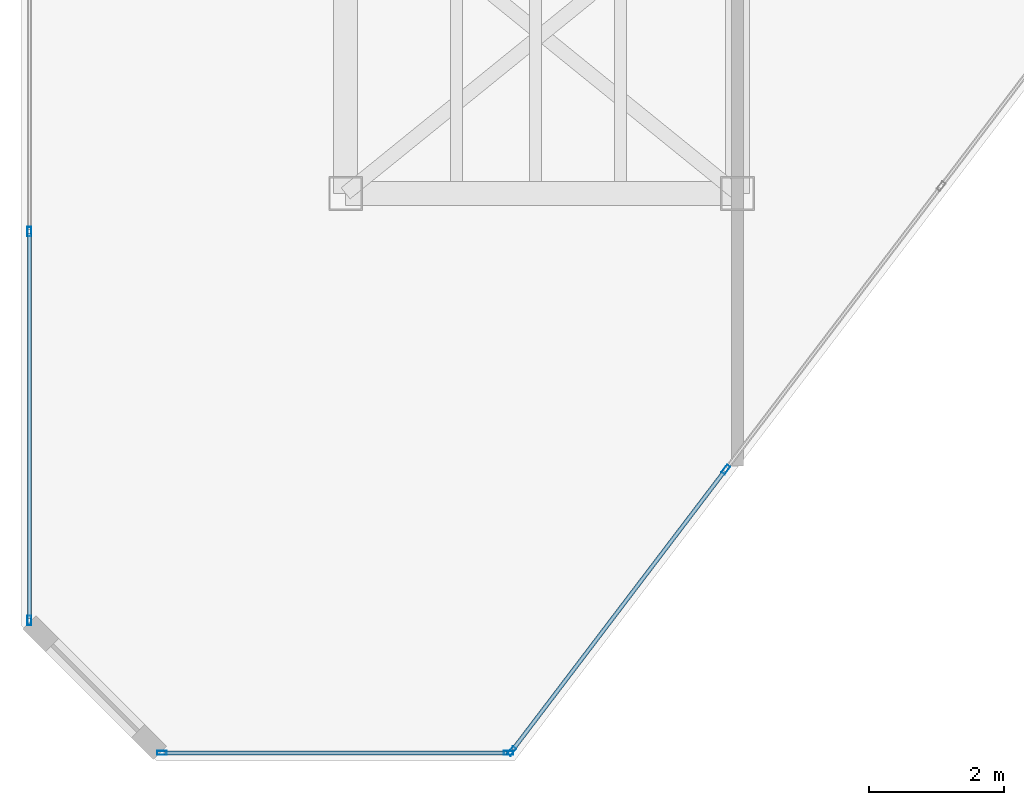
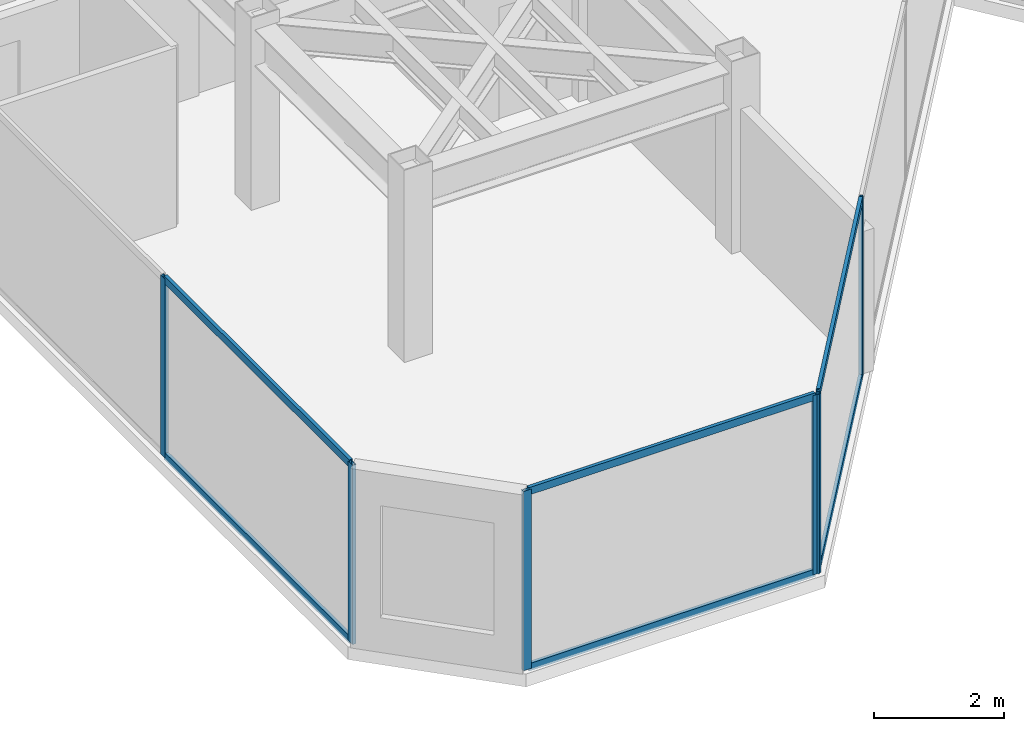
# One storey, part 2 of 19: 12 members, 3 elements without a shape of their own.
"""IFC4 building model written with IfcOpenShell, lengths in metres."""

from ifc_helpers import new_model, si_unit, direction, frame, origin, origin_2d, place, context, subcontext, project, spatial, hollow_rectangle, extrude, material, layer, layer_set, material_profile, profile_set, type_object, element, aggregate, save


model = new_model("IFC4")

# Units and contexts
model_context = context("Model", 3, precision=1e-05, world=origin(), true_north=direction((0.0, 1.0)))
body_context = subcontext(model_context, "Body", "Model", "MODEL_VIEW")
ifc_project = project(units=[si_unit("LENGTHUNIT", "METRE"), si_unit("AREAUNIT", "SQUARE_METRE"), si_unit("VOLUMEUNIT", "CUBIC_METRE"), si_unit("PLANEANGLEUNIT", "RADIAN"), si_unit("MASSUNIT", "GRAM", prefix="KILO")], contexts=[model_context])

# Site, building, storey
site_placement = place(None, origin())
site = spatial("IfcSite", under=ifc_project, at=site_placement, CompositionType="ELEMENT")
building_placement = place(site_placement, origin())
building = spatial("IfcBuilding", under=site, at=building_placement, Name="Kravanh Interchange Tower", CompositionType="ELEMENT")
storey_placement = place(building_placement, frame((0.0, 0.0, 270.60009765625)))
storey = spatial("IfcBuildingStorey", under=building, at=storey_placement, Name="L66", CompositionType="ELEMENT", Elevation=270.60009765625)

# Curtain wall, members
ifc_material_1 = material(Name="Anodised Bronze Aluminium", Category="aluminium")
ifc_layer = layer(ifc_material_1, 0.179931640625)
ifc_layer_set = layer_set([ifc_layer], Name="Unitised Curtain Wall System CW-HTL Luxury Hotel")
curtain_wall_type = type_object("IfcCurtainWallType", Name="Unitised Curtain Wall System CW-HTL Luxury Hotel", PredefinedType="NOTDEFINED", material=ifc_layer_set)
curtain_wall_1_placement = place(storey_placement, origin())
curtain_wall_1 = element("IfcCurtainWall", 1, at=curtain_wall_1_placement, inside=storey, type_object=curtain_wall_type, Name="L66 Unitised Curtain Wall CW-L66-01", PredefinedType="NOTDEFINED")
ifc_material_2 = material(Name="Anodised Bronze Aluminium", Category="aluminium")
ifc_material_profile_1 = material_profile(ifc_material_2, hollow_rectangle(XDim=0.06005859375, YDim=0.139892578125, WallThickness=0.00390625, at=origin_2d()), Name="ALU60X140X4")
ifc_profile_set_1 = profile_set([ifc_material_profile_1], Name="Anodised Bronze Aluminium")
member_type_1 = type_object("IfcMemberType", Name="Curtain Wall Mullion ALU60X140X4 Bronze", PredefinedType="MULLION", material=ifc_profile_set_1)
member_1_placement = place(storey_placement, frame((28.1201171875, 20.479736328125, 0.0), z_axis=(0.0, 0.0, 1.0), x_axis=(-1.0, 0.0, 0.0)))
member_1 = element("IfcMember", 2, at=member_1_placement, type_object=member_type_1, Name="CW-HTL mullion 1", PredefinedType="MULLION", context=body_context, shape_type="SweptSolid", body=[
    extrude(hollow_rectangle(XDim=0.06005859375, YDim=0.139892578125, WallThickness=0.00390625, at=origin_2d()), origin(), (0.0, 0.0, 1.0), 3.35986328125),
])
member_2_placement = place(storey_placement, frame((28.1201171875, 26.233154296875, 0.0), z_axis=(0.0, 0.0, 1.0), x_axis=(-1.0, 0.0, 0.0)))
member_2 = element("IfcMember", 3, at=member_2_placement, type_object=member_type_1, Name="CW-HTL mullion 2", PredefinedType="MULLION", context=body_context, shape_type="SweptSolid", body=[
    extrude(hollow_rectangle(XDim=0.06005859375, YDim=0.139892578125, WallThickness=0.00390625, at=origin_2d()), origin(), (0.0, 0.0, 1.0), 3.35986328125),
])

curtain_wall_2_placement = place(storey_placement, origin())
curtain_wall_2 = element("IfcCurtainWall", 4, at=curtain_wall_2_placement, inside=storey, type_object=curtain_wall_type, Name="L66 Unitised Curtain Wall CW-L66-05", PredefinedType="NOTDEFINED")
member_3_placement = place(storey_placement, frame((38.427001953125, 22.712646484375, 0.0), z_axis=(0.0, 0.0, 1.0), x_axis=(0.79616243806, -0.605082946564, 0.0)))
member_3 = element("IfcMember", 5, at=member_3_placement, type_object=member_type_1, Name="CW-HTL mullion 3", PredefinedType="MULLION", context=body_context, shape_type="SweptSolid", body=[
    extrude(hollow_rectangle(XDim=0.06005859375, YDim=0.139892578125, WallThickness=0.00390625, at=origin_2d()), origin(), (0.0, 0.0, 1.0), 3.35986328125),
])
member_4_placement = place(storey_placement, frame((35.258544921875, 18.5439453125, 0.0), z_axis=(0.0, 0.0, 1.0), x_axis=(0.79616243806, -0.605082946564, 0.0)))
member_4 = element("IfcMember", 6, at=member_4_placement, type_object=member_type_1, Name="CW-HTL mullion 4", PredefinedType="MULLION", context=body_context, shape_type="SweptSolid", body=[
    extrude(hollow_rectangle(XDim=0.06005859375, YDim=0.139892578125, WallThickness=0.00390625, at=origin_2d()), origin(), (0.0, 0.0, 1.0), 3.35986328125),
])

curtain_wall_3_placement = place(storey_placement, origin())
curtain_wall_3 = element("IfcCurtainWall", 7, at=curtain_wall_3_placement, inside=storey, type_object=curtain_wall_type, Name="L66 Unitised Curtain Wall CW-L66-06", PredefinedType="NOTDEFINED")
member_5_placement = place(storey_placement, frame((35.21044921875, 18.52001953125, 0.0), z_axis=(0.0, 0.0, 1.0), x_axis=(0.0, -1.0, 0.0)))
member_5 = element("IfcMember", 8, at=member_5_placement, type_object=member_type_1, Name="CW-HTL mullion 1", PredefinedType="MULLION", context=body_context, shape_type="SweptSolid", body=[
    extrude(hollow_rectangle(XDim=0.06005859375, YDim=0.139892578125, WallThickness=0.00390625, at=origin_2d()), origin(), (0.0, 0.0, 1.0), 3.35986328125),
])
member_6_placement = place(storey_placement, frame((30.07958984375, 18.52001953125, 0.0), z_axis=(0.0, 0.0, 1.0), x_axis=(0.0, -1.0, 0.0)))
member_6 = element("IfcMember", 9, at=member_6_placement, type_object=member_type_1, Name="CW-HTL mullion 2", PredefinedType="MULLION", context=body_context, shape_type="SweptSolid", body=[
    extrude(hollow_rectangle(XDim=0.06005859375, YDim=0.139892578125, WallThickness=0.00390625, at=origin_2d()), origin(), (0.0, 0.0, 1.0), 3.35986328125),
])

# Member
ifc_material_3 = material(Name="Anodised Bronze Aluminium", Category="aluminium")
ifc_material_profile_2 = material_profile(ifc_material_3, hollow_rectangle(XDim=0.06005859375, YDim=0.139892578125, WallThickness=0.00390625, at=origin_2d()), Name="ALU60X140X4")
ifc_profile_set_2 = profile_set([ifc_material_profile_2], Name="Anodised Bronze Aluminium")
member_type_2 = type_object("IfcMemberType", Name="Curtain Wall Transom ALU60X140X4 Bronze", PredefinedType="USERDEFINED", material=ifc_profile_set_2)
member_7_placement = place(storey_placement, frame((28.1201171875, 20.509765625, 0.02978515625), z_axis=(0.0, 1.0, 0.0), x_axis=(-1.0, 0.0, 0.0)))
member_7 = element("IfcMember", 10, at=member_7_placement, type_object=member_type_2, Name="CW-HTL transom 1.1", ObjectType="TRANSOM", PredefinedType="USERDEFINED", context=body_context, shape_type="SweptSolid", body=[
    extrude(hollow_rectangle(XDim=0.06005859375, YDim=0.139892578125, WallThickness=0.00390625, at=origin_2d()), origin(), (0.0, 0.0, 1.0), 5.693359375),
])

member_8_placement = place(storey_placement, frame((28.1201171875, 20.509765625, 3.329833984375), z_axis=(0.0, 1.0, 0.0), x_axis=(-1.0, 0.0, 0.0)))
member_8 = element("IfcMember", 11, at=member_8_placement, type_object=member_type_2, Name="CW-HTL transom 1.2", ObjectType="TRANSOM", PredefinedType="USERDEFINED", context=body_context, shape_type="SweptSolid", body=[
    extrude(hollow_rectangle(XDim=0.06005859375, YDim=0.139892578125, WallThickness=0.00390625, at=origin_2d()), origin(), (0.0, 0.0, 1.0), 5.693359375),
])

aggregate(curtain_wall_1, [member_1, member_2, member_7, member_8])

member_9_placement = place(storey_placement, frame((38.408935546875, 22.68896484375, 0.02978515625), z_axis=(-0.605089246946, -0.796157649734, 0.0), x_axis=(0.796157649734, -0.605089246946, 0.0)))
member_9 = element("IfcMember", 12, at=member_9_placement, type_object=member_type_2, Name="CW-HTL transom 3.1", ObjectType="TRANSOM", PredefinedType="USERDEFINED", context=body_context, shape_type="SweptSolid", body=[
    extrude(hollow_rectangle(XDim=0.06005859375, YDim=0.139892578125, WallThickness=0.00390625, at=origin_2d()), origin(), (0.0, 0.0, 1.0), 5.17626953125),
])

member_10_placement = place(storey_placement, frame((38.408935546875, 22.68896484375, 3.329833984375), z_axis=(-0.605089246946, -0.796157649734, 0.0), x_axis=(0.796157649734, -0.605089246946, 0.0)))
member_10 = element("IfcMember", 13, at=member_10_placement, type_object=member_type_2, Name="CW-HTL transom 3.2", ObjectType="TRANSOM", PredefinedType="USERDEFINED", context=body_context, shape_type="SweptSolid", body=[
    extrude(hollow_rectangle(XDim=0.06005859375, YDim=0.139892578125, WallThickness=0.00390625, at=origin_2d()), origin(), (0.0, 0.0, 1.0), 5.17626953125),
])

aggregate(curtain_wall_2, [member_3, member_4, member_9, member_10])

member_11_placement = place(storey_placement, frame((35.180419921875, 18.52001953125, 0.02978515625), z_axis=(-1.0, 0.0, 0.0), x_axis=(0.0, -1.0, 0.0)))
member_11 = element("IfcMember", 14, at=member_11_placement, type_object=member_type_2, Name="CW-HTL transom 1.1", ObjectType="TRANSOM", PredefinedType="USERDEFINED", context=body_context, shape_type="SweptSolid", body=[
    extrude(hollow_rectangle(XDim=0.06005859375, YDim=0.139892578125, WallThickness=0.00390625, at=origin_2d()), origin(), (0.0, 0.0, 1.0), 5.07080078125),
])

member_12_placement = place(storey_placement, frame((35.180419921875, 18.52001953125, 3.329833984375), z_axis=(-1.0, 0.0, 0.0), x_axis=(0.0, -1.0, 0.0)))
member_12 = element("IfcMember", 15, at=member_12_placement, type_object=member_type_2, Name="CW-HTL transom 1.2", ObjectType="TRANSOM", PredefinedType="USERDEFINED", context=body_context, shape_type="SweptSolid", body=[
    extrude(hollow_rectangle(XDim=0.06005859375, YDim=0.139892578125, WallThickness=0.00390625, at=origin_2d()), origin(), (0.0, 0.0, 1.0), 5.07080078125),
])

aggregate(curtain_wall_3, [member_5, member_6, member_11, member_12])

save(model, "model.ifc")
